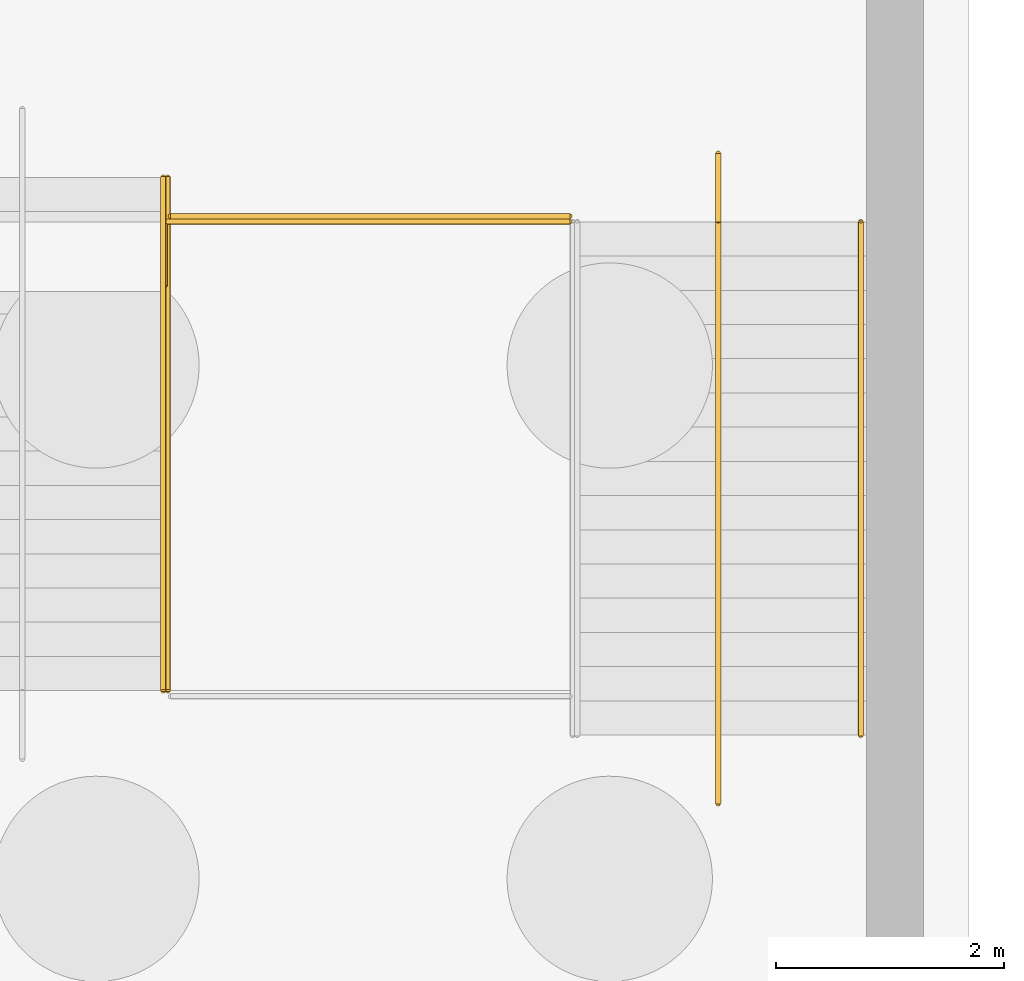
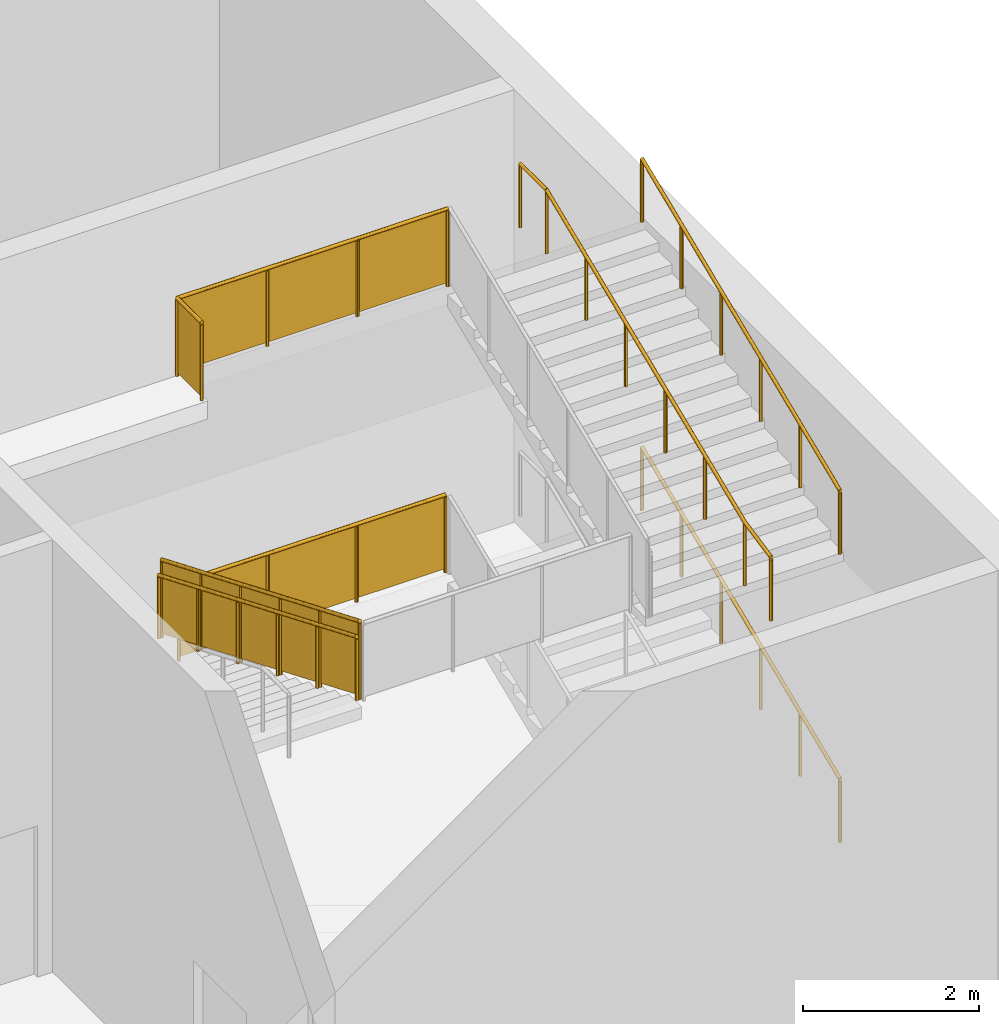
# One storey, part 41 of 42: 7 railings.
"""IFC4 building model written with IfcOpenShell, lengths in metres."""

from ifc_helpers import new_model, si_unit, direction, frame, origin, origin_2d, place, context, subcontext, project, spatial, polyline, circle, outline, extrude, material, type_object, element, save


model = new_model("IFC4")

# Units and contexts
model_context = context("Model", 3, precision=1e-05, world=origin(), true_north=direction((0.0, 1.0)))
body_context = subcontext(model_context, "Body", "Model", "MODEL_VIEW")
ifc_project = project(units=[si_unit("LENGTHUNIT", "METRE"), si_unit("AREAUNIT", "SQUARE_METRE"), si_unit("VOLUMEUNIT", "CUBIC_METRE"), si_unit("PLANEANGLEUNIT", "RADIAN"), si_unit("MASSUNIT", "GRAM", prefix="KILO")], contexts=[model_context])

# Site, building, storey
site_placement = place(None, origin())
site = spatial("IfcSite", under=ifc_project, at=site_placement, CompositionType="ELEMENT")
building_placement = place(site_placement, origin())
building = spatial("IfcBuilding", under=site, at=building_placement, Name="Silverbay Arena", CompositionType="ELEMENT")
storey_placement = place(building_placement, frame((0.0, 0.0, -6.0)))
storey = spatial("IfcBuildingStorey", under=building, at=storey_placement, Name="B1", CompositionType="ELEMENT", Elevation=-6.0)

# Railings
ifc_material_1 = material(Name="Stainless steel", Category="steel")
railing_type_1 = type_object("IfcRailingType", Name="Stair guard 1100", PredefinedType="GUARDRAIL", material=ifc_material_1)
railing_1_placement = place(storey_placement, frame((227.875, 134.39990234375, 2.125)))
element("IfcRailing", 1, at=railing_1_placement, inside=storey, type_object=railing_type_1, Name="Stair ST-EG2 B1 to L00 flight 2 guard right", PredefinedType="GUARDRAIL", context=body_context, shape_type="SweptSolid", body=[
    extrude(circle(Radius=0.02392578125, at=origin_2d()), frame((0.0, 0.0, 1.076171875), z_axis=(0.0, -0.923076923077, 0.384615384615), x_axis=(1.0, 0.0, 0.0)), (0.0, 0.0, 1.0), 4.875),
    extrude(outline(polyline([(-0.008056640625, 0.046630859375), (0.907958984375, 0.42822265625), (0.907958984375, 1.431396484375), (-0.008056640625, 1.049560546875), (-0.008056640625, 0.046630859375)])), frame((0.0029296875, 0.0, 0.0), z_axis=(-1.0, 0.0, 0.0), x_axis=(0.0, -1.0, 0.0)), (0.0, 0.0, 1.0), 0.006103515625),
    extrude(outline(polyline([(-0.008056640625, 0.421630859375), (0.907958984375, 0.80322265625), (0.907958984375, 1.806396484375), (-0.008056640625, 1.424560546875), (-0.008056640625, 0.421630859375)])), frame((0.0029296875, -0.89990234375, 0.0), z_axis=(-1.0, 0.0, 0.0), x_axis=(0.0, -1.0, 0.0)), (0.0, 0.0, 1.0), 0.006103515625),
    extrude(outline(polyline([(-0.008056640625, 0.796630859375), (0.907958984375, 1.17822265625), (0.907958984375, 2.181396484375), (-0.008056640625, 1.799560546875), (-0.008056640625, 0.796630859375)])), frame((0.0029296875, -1.800048828125, 0.0), z_axis=(-1.0, 0.0, 0.0), x_axis=(0.0, -1.0, 0.0)), (0.0, 0.0, 1.0), 0.006103515625),
    extrude(outline(polyline([(-0.008056640625, 1.171630859375), (0.907958984375, 1.55322265625), (0.907958984375, 2.556396484375), (-0.008056640625, 2.174560546875), (-0.008056640625, 1.171630859375)])), frame((0.0029296875, -2.699951171875, 0.0), z_axis=(-1.0, 0.0, 0.0), x_axis=(0.0, -1.0, 0.0)), (0.0, 0.0, 1.0), 0.006103515625),
    extrude(outline(polyline([(-0.008056640625, 1.546630859375), (0.907958984375, 1.92822265625), (0.907958984375, 2.931396484375), (-0.008056640625, 2.549560546875), (-0.008056640625, 1.546630859375)])), frame((0.0029296875, -3.60009765625, 0.0), z_axis=(-1.0, 0.0, 0.0), x_axis=(0.0, -1.0, 0.0)), (0.0, 0.0, 1.0), 0.006103515625),
    extrude(circle(Radius=0.02099609375, at=origin_2d()), origin(), (0.0, 0.0, 1.0), 1.052001953125),
    extrude(circle(Radius=0.02099609375, at=origin_2d()), frame((0.0, -0.89990234375, 0.375)), (0.0, 0.0, 1.0), 1.052001953125),
    extrude(circle(Radius=0.02099609375, at=origin_2d()), frame((0.0, -1.800048828125, 0.75)), (0.0, 0.0, 1.0), 1.052001953125),
    extrude(circle(Radius=0.02099609375, at=origin_2d()), frame((0.0, -2.699951171875, 1.125)), (0.0, 0.0, 1.0), 1.052001953125),
    extrude(circle(Radius=0.02099609375, at=origin_2d()), frame((0.0, -3.60009765625, 1.5)), (0.0, 0.0, 1.0), 1.052001953125),
    extrude(circle(Radius=0.02099609375, at=origin_2d()), frame((0.0, -4.5, 1.875)), (0.0, 0.0, 1.0), 1.052001953125),
])
railing_2_placement = place(storey_placement, frame((227.89990234375, 134.06005859375, 2.0)))
element("IfcRailing", 2, at=railing_2_placement, inside=storey, type_object=railing_type_1, Name="Stair ST-EG2 B1 to L00 landing 1 guard", PredefinedType="GUARDRAIL", context=body_context, shape_type="SweptSolid", body=[
    extrude(circle(Radius=0.02392578125, at=origin_2d()), frame((0.0, 0.0, 1.076171875), z_axis=(1.0, 0.0, 0.0), x_axis=(0.0, 1.0, 0.0)), (0.0, 0.0, 1.0), 3.5),
    extrude(outline(polyline([(-0.008056640625, 0.050048828125), (1.174560546875, 0.050048828125), (1.174560546875, 1.052978515625), (-0.008056640625, 1.052978515625), (-0.008056640625, 0.050048828125)])), frame((0.0, 0.0029296875, 0.0), z_axis=(0.0, -1.0, 0.0), x_axis=(1.0, 0.0, 0.0)), (0.0, 0.0, 1.0), 0.006103515625),
    extrude(outline(polyline([(-0.008056640625, 0.050048828125), (1.174560546875, 0.050048828125), (1.174560546875, 1.052978515625), (-0.008056640625, 1.052978515625), (-0.008056640625, 0.050048828125)])), frame((1.166748046875, 0.0029296875, 0.0), z_axis=(0.0, -1.0, 0.0), x_axis=(1.0, 0.0, 0.0)), (0.0, 0.0, 1.0), 0.006103515625),
    extrude(outline(polyline([(-0.008056640625, 0.050048828125), (1.174560546875, 0.050048828125), (1.174560546875, 1.052978515625), (-0.008056640625, 1.052978515625), (-0.008056640625, 0.050048828125)])), frame((2.333251953125, 0.0029296875, 0.0), z_axis=(0.0, -1.0, 0.0), x_axis=(1.0, 0.0, 0.0)), (0.0, 0.0, 1.0), 0.006103515625),
    extrude(circle(Radius=0.02099609375, at=origin_2d()), origin(), (0.0, 0.0, 1.0), 1.052001953125),
    extrude(circle(Radius=0.02099609375, at=origin_2d()), frame((1.166748046875, 0.0, 0.0)), (0.0, 0.0, 1.0), 1.052001953125),
    extrude(circle(Radius=0.02099609375, at=origin_2d()), frame((2.333251953125, 0.0, 0.0)), (0.0, 0.0, 1.0), 1.052001953125),
    extrude(circle(Radius=0.02099609375, at=origin_2d()), frame((3.5, 0.0, 0.0)), (0.0, 0.0, 1.0), 1.052001953125),
])
railing_3_placement = place(storey_placement, frame((227.85009765625, 133.449951171875, 6.0)))
element("IfcRailing", 3, at=railing_3_placement, inside=storey, type_object=railing_type_1, Name="Stair ST-EG2 B1 to L00 landing 3 guard", PredefinedType="GUARDRAIL", context=body_context, shape_type="SweptSolid", body=[
    extrude(circle(Radius=0.02392578125, at=origin_2d()), frame((0.0, 0.0, 1.076171875), z_axis=(0.0, 1.0, 0.0), x_axis=(-1.0, 0.0, 0.0)), (0.0, 0.0, 1.0), 0.56005859375),
    extrude(outline(polyline([(-0.008056640625, 0.050048828125), (0.568115234375, 0.050048828125), (0.568115234375, 1.052978515625), (-0.008056640625, 1.052978515625), (-0.008056640625, 0.050048828125)])), frame((-0.0029296875, 0.0, 0.0), z_axis=(1.0, 0.0, 0.0), x_axis=(0.0, 1.0, 0.0)), (0.0, 0.0, 1.0), 0.006103515625),
    extrude(circle(Radius=0.02392578125, at=origin_2d()), frame((0.0, 0.56005859375, 1.076171875), z_axis=(1.0, 0.0, 0.0), x_axis=(0.0, 1.0, 0.0)), (0.0, 0.0, 1.0), 3.5498046875),
    extrude(outline(polyline([(-0.008056640625, 0.050048828125), (1.191162109375, 0.050048828125), (1.191162109375, 1.052978515625), (-0.008056640625, 1.052978515625), (-0.008056640625, 0.050048828125)])), frame((0.0, 0.56298828125, 0.0), z_axis=(0.0, -1.0, 0.0), x_axis=(1.0, 0.0, 0.0)), (0.0, 0.0, 1.0), 0.006103515625),
    extrude(outline(polyline([(-0.008056640625, 0.050048828125), (1.191162109375, 0.050048828125), (1.191162109375, 1.052978515625), (-0.008056640625, 1.052978515625), (-0.008056640625, 0.050048828125)])), frame((1.183349609375, 0.56298828125, 0.0), z_axis=(0.0, -1.0, 0.0), x_axis=(1.0, 0.0, 0.0)), (0.0, 0.0, 1.0), 0.006103515625),
    extrude(outline(polyline([(-0.008056640625, 0.050048828125), (1.191162109375, 0.050048828125), (1.191162109375, 1.052978515625), (-0.008056640625, 1.052978515625), (-0.008056640625, 0.050048828125)])), frame((2.366455078125, 0.56298828125, 0.0), z_axis=(0.0, -1.0, 0.0), x_axis=(1.0, 0.0, 0.0)), (0.0, 0.0, 1.0), 0.006103515625),
    extrude(circle(Radius=0.02099609375, at=origin_2d()), origin(), (0.0, 0.0, 1.0), 1.052001953125),
    extrude(circle(Radius=0.02099609375, at=origin_2d()), frame((0.0, 0.56005859375, 0.0)), (0.0, 0.0, 1.0), 1.052001953125),
    extrude(circle(Radius=0.02099609375, at=origin_2d()), frame((1.183349609375, 0.56005859375, 0.0)), (0.0, 0.0, 1.0), 1.052001953125),
    extrude(circle(Radius=0.02099609375, at=origin_2d()), frame((2.366455078125, 0.56005859375, 0.0)), (0.0, 0.0, 1.0), 1.052001953125),
    extrude(circle(Radius=0.02099609375, at=origin_2d()), frame((3.5498046875, 0.56005859375, 0.0)), (0.0, 0.0, 1.0), 1.052001953125),
])
ifc_material_2 = material(Name="Stainless steel", Category="steel")
railing_type_2 = type_object("IfcRailingType", Name="Stair handrail 900", PredefinedType="HANDRAIL", material=ifc_material_2)
railing_4_placement = place(storey_placement, frame((233.949951171875, 129.510009765625, 0.125)))
element("IfcRailing", 4, at=railing_4_placement, inside=storey, type_object=railing_type_2, Name="Stair ST-EG2 B1 to L00 flight 1 handrail right", PredefinedType="HANDRAIL", context=body_context, shape_type="SweptSolid", body=[
    extrude(circle(Radius=0.02392578125, at=origin_2d()), frame((0.0, 0.0, 0.8759765625), z_axis=(0.0, 0.923076923077, 0.384615384615), x_axis=(-1.0, 0.0, 0.0)), (0.0, 0.0, 1.0), 4.875),
    extrude(circle(Radius=0.02099609375, at=origin_2d()), origin(), (0.0, 0.0, 1.0), 0.851806640625),
    extrude(circle(Radius=0.02099609375, at=origin_2d()), frame((0.0, 0.89990234375, 0.375)), (0.0, 0.0, 1.0), 0.851806640625),
    extrude(circle(Radius=0.02099609375, at=origin_2d()), frame((0.0, 1.800048828125, 0.75)), (0.0, 0.0, 1.0), 0.851806640625),
    extrude(circle(Radius=0.02099609375, at=origin_2d()), frame((0.0, 2.699951171875, 1.125)), (0.0, 0.0, 1.0), 0.851806640625),
    extrude(circle(Radius=0.02099609375, at=origin_2d()), frame((0.0, 3.60009765625, 1.5)), (0.0, 0.0, 1.0), 0.851806640625),
    extrude(circle(Radius=0.02099609375, at=origin_2d()), frame((0.0, 4.5, 1.875)), (0.0, 0.0, 1.0), 0.851806640625),
])
railing_5_placement = place(storey_placement, frame((227.8359375, 134.39990234375, 2.125)))
element("IfcRailing", 5, at=railing_5_placement, inside=storey, type_object=railing_type_2, Name="Stair ST-EG2 B1 to L00 flight 2 handrail right", PredefinedType="HANDRAIL", context=body_context, shape_type="SweptSolid", body=[
    extrude(circle(Radius=0.02392578125, at=origin_2d()), frame((0.0, 0.0, 0.8759765625), z_axis=(0.0, -0.923076923077, 0.384615384615), x_axis=(1.0, 0.0, 0.0)), (0.0, 0.0, 1.0), 4.875),
    extrude(circle(Radius=0.02099609375, at=origin_2d()), origin(), (0.0, 0.0, 1.0), 0.851806640625),
    extrude(circle(Radius=0.02099609375, at=origin_2d()), frame((0.0, -0.89990234375, 0.375)), (0.0, 0.0, 1.0), 0.851806640625),
    extrude(circle(Radius=0.02099609375, at=origin_2d()), frame((0.0, -1.800048828125, 0.75)), (0.0, 0.0, 1.0), 0.851806640625),
    extrude(circle(Radius=0.02099609375, at=origin_2d()), frame((0.0, -2.699951171875, 1.125)), (0.0, 0.0, 1.0), 0.851806640625),
    extrude(circle(Radius=0.02099609375, at=origin_2d()), frame((0.0, -3.60009765625, 1.5)), (0.0, 0.0, 1.0), 0.851806640625),
    extrude(circle(Radius=0.02099609375, at=origin_2d()), frame((0.0, -4.5, 1.875)), (0.0, 0.0, 1.0), 0.851806640625),
])
railing_6_placement = place(storey_placement, frame((233.949951171875, 129.510009765625, 4.125)))
element("IfcRailing", 6, at=railing_6_placement, inside=storey, type_object=railing_type_2, Name="Stair ST-EG2 B1 to L00 flight 3 handrail right", PredefinedType="HANDRAIL", context=body_context, shape_type="SweptSolid", body=[
    extrude(circle(Radius=0.02392578125, at=origin_2d()), frame((0.0, 0.0, 0.8759765625), z_axis=(0.0, 0.923076923077, 0.384615384615), x_axis=(-1.0, 0.0, 0.0)), (0.0, 0.0, 1.0), 4.875),
    extrude(circle(Radius=0.02099609375, at=origin_2d()), origin(), (0.0, 0.0, 1.0), 0.851806640625),
    extrude(circle(Radius=0.02099609375, at=origin_2d()), frame((0.0, 0.89990234375, 0.375)), (0.0, 0.0, 1.0), 0.851806640625),
    extrude(circle(Radius=0.02099609375, at=origin_2d()), frame((0.0, 1.800048828125, 0.75)), (0.0, 0.0, 1.0), 0.851806640625),
    extrude(circle(Radius=0.02099609375, at=origin_2d()), frame((0.0, 2.699951171875, 1.125)), (0.0, 0.0, 1.0), 0.851806640625),
    extrude(circle(Radius=0.02099609375, at=origin_2d()), frame((0.0, 3.60009765625, 1.5)), (0.0, 0.0, 1.0), 0.851806640625),
    extrude(circle(Radius=0.02099609375, at=origin_2d()), frame((0.0, 4.5, 1.875)), (0.0, 0.0, 1.0), 0.851806640625),
])
railing_7_placement = place(storey_placement, frame((232.699951171875, 128.909912109375, 4.0)))
element("IfcRailing", 7, at=railing_7_placement, inside=storey, type_object=railing_type_2, Name="Stair ST-EG2 B1 to L00 flight 3 central handrail", PredefinedType="HANDRAIL", context=body_context, shape_type="SweptSolid", body=[
    extrude(circle(Radius=0.02392578125, at=origin_2d()), frame((0.0, 0.0, 0.8759765625), z_axis=(0.0, 0.978987046276, 0.203922444139), x_axis=(-1.0, 0.0, 0.0)), (0.0, 0.0, 1.0), 0.613037109375),
    extrude(circle(Radius=0.02392578125, at=origin_2d()), frame((0.0, 0.60009765625, 1.0009765625), z_axis=(0.0, 0.923076923077, 0.384615384615), x_axis=(-1.0, 0.0, 0.0)), (0.0, 0.0, 1.0), 4.875),
    extrude(circle(Radius=0.02392578125, at=origin_2d()), frame((0.0, 5.10009765625, 2.8759765625), z_axis=(0.0, 1.0, 0.0), x_axis=(-1.0, 0.0, 0.0)), (0.0, 0.0, 1.0), 0.60009765625),
    extrude(circle(Radius=0.02099609375, at=origin_2d()), origin(), (0.0, 0.0, 1.0), 0.851806640625),
    extrude(circle(Radius=0.02099609375, at=origin_2d()), frame((0.0, 0.60009765625, 0.125)), (0.0, 0.0, 1.0), 0.851806640625),
    extrude(circle(Radius=0.02099609375, at=origin_2d()), frame((0.0, 1.5, 0.5)), (0.0, 0.0, 1.0), 0.851806640625),
    extrude(circle(Radius=0.02099609375, at=origin_2d()), frame((0.0, 2.400146484375, 0.875)), (0.0, 0.0, 1.0), 0.851806640625),
    extrude(circle(Radius=0.02099609375, at=origin_2d()), frame((0.0, 3.300048828125, 1.25)), (0.0, 0.0, 1.0), 0.851806640625),
    extrude(circle(Radius=0.02099609375, at=origin_2d()), frame((0.0, 4.2001953125, 1.625)), (0.0, 0.0, 1.0), 0.851806640625),
    extrude(circle(Radius=0.02099609375, at=origin_2d()), frame((0.0, 5.10009765625, 2.0)), (0.0, 0.0, 1.0), 0.851806640625),
    extrude(circle(Radius=0.02099609375, at=origin_2d()), frame((0.0, 5.7001953125, 2.0)), (0.0, 0.0, 1.0), 0.851806640625),
])

save(model, "model.ifc")
